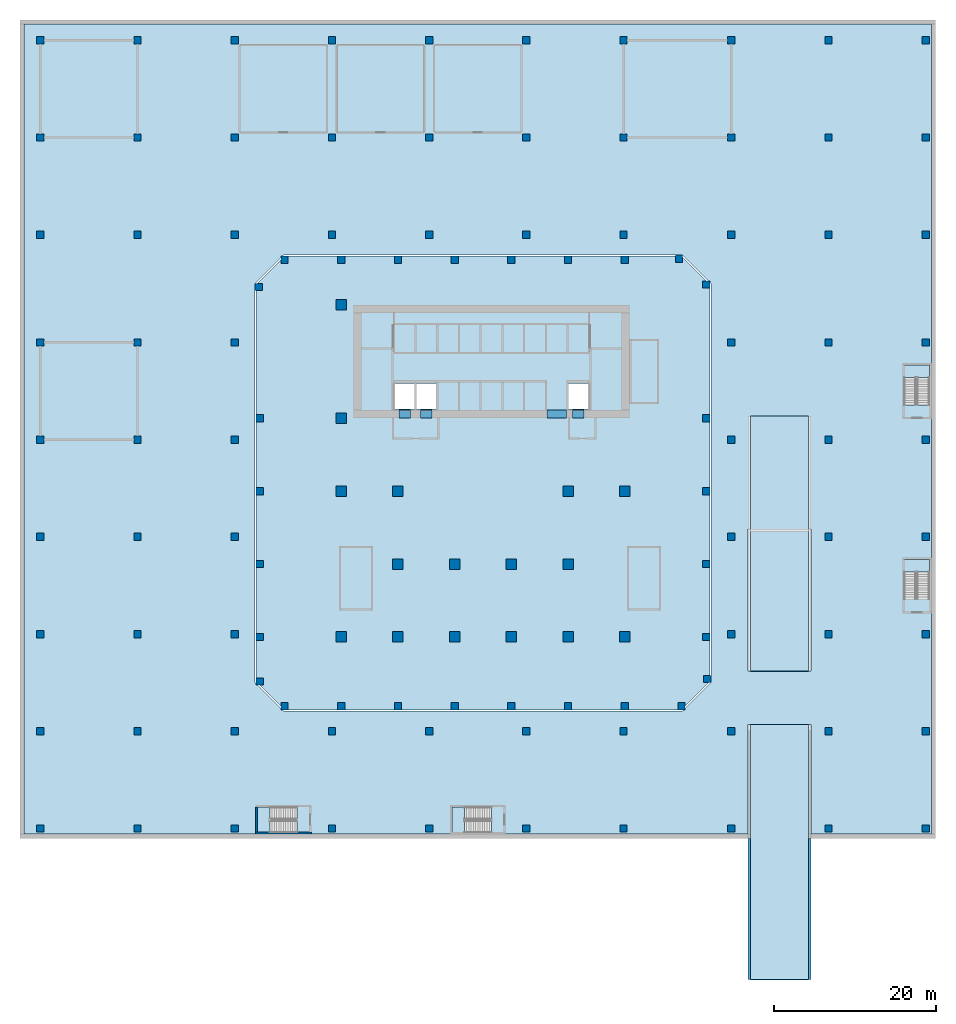
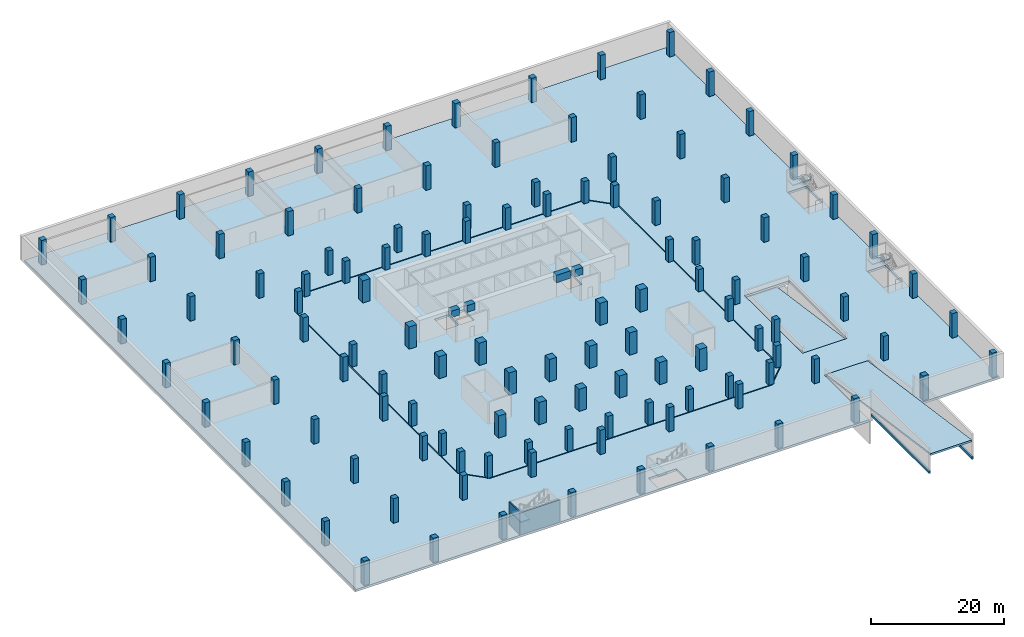
# One storey, part 1 of 11: 118 columns, 8 slabs, 4 beams, 2 footings, 2 walls, 4 elements without a shape of their own.
"""IFC4 building model written with IfcOpenShell, lengths in metres."""

from ifc_helpers import new_model, si_unit, direction, frame, frame_2d, origin, origin_2d, place, context, subcontext, project, spatial, polyline, rectangle, outline, extrude, source, transform, mapped, material, layer, layer_set, material_profile, profile_set, type_object, element, aggregate, save


model = new_model("IFC4")

# Units and contexts
model_context = context("Model", 3, precision=1e-05, world=origin(), true_north=direction((0.0, 1.0)))
body_context = subcontext(model_context, "Body", "Model", "MODEL_VIEW")
ifc_project = project(units=[si_unit("LENGTHUNIT", "METRE"), si_unit("AREAUNIT", "SQUARE_METRE"), si_unit("VOLUMEUNIT", "CUBIC_METRE"), si_unit("PLANEANGLEUNIT", "RADIAN"), si_unit("MASSUNIT", "GRAM", prefix="KILO")], contexts=[model_context])

# Site, building, storey
site_placement = place(None, origin())
site = spatial("IfcSite", under=ifc_project, at=site_placement, CompositionType="ELEMENT")
building_placement = place(site_placement, origin())
building = spatial("IfcBuilding", under=site, at=building_placement, Name="Kilnfold Tower and Market Hall", CompositionType="ELEMENT")
storey_placement = place(building_placement, frame((0.0, 0.0, -4.5)))
storey = spatial("IfcBuildingStorey", under=building, at=storey_placement, Name="B1", CompositionType="ELEMENT", Elevation=-4.5)

# Footings
ifc_material_1 = material(Name="Concrete C40/50", Category="concrete")
footing_type = type_object("IfcFootingType", Name="CAR PARK RAMP WALL FOOTING 300", PredefinedType="STRIP_FOOTING", material=ifc_material_1)
shared_shape_1 = source(origin(), body_context, "Body", "SweptSolid", [
    extrude(outline(polyline([(32.699951171875, -61.300048828125), (33.0, -61.300048828125), (33.0, -43.85009765625), (32.699951171875, -43.85009765625), (32.699951171875, -61.300048828125)])), origin(), (0.0, 0.0, 1.0), 0.5),
])
footing_1_placement = place(storey_placement, frame((0.0, 0.0, 0.906982421875)))
element("IfcFooting", 1, at=footing_1_placement, inside=storey, type_object=footing_type, Name="Ramp wall footing 1", PredefinedType="STRIP_FOOTING", context=body_context, shape_type="MappedRepresentation", body=[
    mapped(shared_shape_1, transform((0.0, 0.0, 0.0))),
])
shared_shape_2 = source(origin(), body_context, "Body", "SweptSolid", [
    extrude(outline(polyline([(40.199951171875, -61.300048828125), (40.5, -61.300048828125), (40.5, -43.85009765625), (40.199951171875, -43.85009765625), (40.199951171875, -61.300048828125)])), origin(), (0.0, 0.0, 1.0), 0.5),
])
footing_2_placement = place(storey_placement, frame((0.0, 0.0, 0.906982421875)))
element("IfcFooting", 2, at=footing_2_placement, inside=storey, type_object=footing_type, Name="Ramp wall footing 2", PredefinedType="STRIP_FOOTING", context=body_context, shape_type="MappedRepresentation", body=[
    mapped(shared_shape_2, transform((0.0, 0.0, 0.0))),
])

# Columns
ifc_material_2 = material(Name="Concrete C80", Category="concrete")
ifc_material_profile_1 = material_profile(ifc_material_2, rectangle(XDim=0.89990234375, YDim=0.89990234375, at=origin_2d()), Name="RC 900x900")
ifc_profile_set_1 = profile_set([ifc_material_profile_1], Name="Concrete C80")
column_type_1 = type_object("IfcColumnType", Name="COLUMN 900X900 C80", PredefinedType="COLUMN", material=ifc_profile_set_1)
shared_shape_3 = source(origin(), body_context, "Body", "SweptSolid", [
    extrude(rectangle(XDim=0.89990234375, YDim=0.89990234375, at=origin_2d()), origin(), (0.0, 0.0, 1.0), 4.090087890625),
])
for number, where, z_axis, x_axis, name in (
    (3, (-27.681884765625, 24.181884765625, 0.0), (0.0, 0.0, 1.0), (1.0, 0.0, 0.0), "Column C-B1-1H"),
    (4, (-27.550048828125, -24.5, 0.0), (0.0, 0.0, 1.0), (1.0, 0.0, 0.0), "Column C-B1-1B"),
    (5, (-27.550048828125, -19.0, 0.0), (0.0, 0.0, 1.0), (1.0, 0.0, 0.0), "Column C-B1-1C"),
    (6, (-27.550048828125, -10.0, 0.0), (0.0, 0.0, 1.0), (1.0, 0.0, 0.0), "Column C-B1-1D"),
    (7, (-27.550048828125, -1.0, 0.0), (0.0, 0.0, 1.0), (1.0, 0.0, 0.0), "Column C-B1-1E"),
    (8, (-27.550048828125, 8.0, 0.0), (0.0, 0.0, 1.0), (1.0, 0.0, 0.0), "Column C-B1-1F"),
    (9, (-24.5, -27.550048828125, 0.0), (0.0, 0.0, 1.0), (1.0, 0.0, 0.0), "Column C-B1-2A"),
    (10, (-24.5, 27.550048828125, 0.0), (0.0, 0.0, 1.0), (1.0, 0.0, 0.0), "Column C-B1-2I"),
    (11, (-17.5, -27.550048828125, 0.0), (0.0, 0.0, 1.0), (1.0, 0.0, 0.0), "Column C-B1-3A"),
    (12, (-17.5, 27.550048828125, 0.0), (0.0, 0.0, 1.0), (1.0, 0.0, 0.0), "Column C-B1-3I"),
    (13, (-10.5, -27.550048828125, 0.0), (0.0, 0.0, 1.0), (1.0, 0.0, 0.0), "Column C-B1-4A"),
    (14, (-10.5, 27.550048828125, 0.0), (0.0, 0.0, 1.0), (1.0, 0.0, 0.0), "Column C-B1-4I"),
    (15, (-3.5, -27.550048828125, 0.0), (0.0, 0.0, 1.0), (1.0, 0.0, 0.0), "Column C-B1-5A"),
    (16, (-3.5, 27.550048828125, 0.0), (0.0, 0.0, 1.0), (1.0, 0.0, 0.0), "Column C-B1-5I"),
    (17, (3.5, -27.550048828125, 0.0), (0.0, 0.0, 1.0), (1.0, 0.0, 0.0), "Column C-B1-6A"),
    (18, (3.5, 27.550048828125, 0.0), (0.0, 0.0, 1.0), (1.0, 0.0, 0.0), "Column C-B1-6I"),
    (19, (10.5, -27.550048828125, 0.0), (0.0, 0.0, 1.0), (1.0, 0.0, 0.0), "Column C-B1-7A"),
    (20, (10.5, 27.550048828125, 0.0), (0.0, 0.0, 1.0), (1.0, 0.0, 0.0), "Column C-B1-7I"),
    (21, (17.5, -27.550048828125, 0.0), (0.0, 0.0, 1.0), (1.0, 0.0, 0.0), "Column C-B1-8A"),
    (22, (17.5, 27.550048828125, 0.0), (0.0, 0.0, 1.0), (1.0, 0.0, 0.0), "Column C-B1-8I"),
    (23, (24.181884765625, 27.681884765625, 0.0), (0.0, 0.0, 1.0), (1.0, 0.0, 0.0), "Column C-B1-9I"),
    (24, (24.5, -27.550048828125, 0.0), (0.0, 0.0, 1.0), (1.0, 0.0, 0.0), "Column C-B1-9A"),
    (25, (27.550048828125, -19.0, 0.0), (0.0, 0.0, 1.0), (1.0, 0.0, 0.0), "Column C-B1-10C"),
    (26, (27.550048828125, -10.0, 0.0), (0.0, 0.0, 1.0), (1.0, 0.0, 0.0), "Column C-B1-10D"),
    (27, (27.550048828125, -1.0, 0.0), (0.0, 0.0, 1.0), (1.0, 0.0, 0.0), "Column C-B1-10E"),
    (28, (27.550048828125, 8.0, 0.0), (0.0, 0.0, 1.0), (1.0, 0.0, 0.0), "Column C-B1-10F"),
    (29, (27.550048828125, 24.5, 0.0), (0.0, 0.0, 1.0), (1.0, 0.0, 0.0), "Column C-B1-10H"),
    (30, (27.681884765625, -24.181884765625, 0.0), (0.0, 0.0, 1.0), (1.0, 0.0, 0.0), "Column C-B1-10B"),
):
    element("IfcColumn", number, at=place(storey_placement, frame(where, z_axis=z_axis, x_axis=x_axis)), inside=storey, type_object=column_type_1, Name=name, PredefinedType="COLUMN", context=body_context, shape_type="MappedRepresentation", body=[
        mapped(shared_shape_3, transform((0.0, 0.0, 0.0))),
    ])
ifc_material_3 = material(Name="Concrete C80", Category="concrete")
ifc_material_profile_2 = material_profile(ifc_material_3, rectangle(XDim=1.300048828125, YDim=1.300048828125, at=origin_2d()), Name="RC 1300x1300")
ifc_profile_set_2 = profile_set([ifc_material_profile_2], Name="Concrete C80")
column_type_2 = type_object("IfcColumnType", Name="COLUMN 1300X1300 C80", PredefinedType="COLUMN", material=ifc_profile_set_2)
shared_shape_4 = source(origin(), body_context, "Body", "SweptSolid", [
    extrude(rectangle(XDim=1.300048828125, YDim=1.300048828125, at=origin_2d()), origin(), (0.0, 0.0, 1.0), 4.090087890625),
])
for number, where, z_axis, x_axis, name in (
    (31, (-17.5, -19.0, 0.0), (0.0, 0.0, 1.0), (1.0, 0.0, 0.0), "Column C-B1-3C"),
    (32, (-17.5, -1.0, 0.0), (0.0, 0.0, 1.0), (1.0, 0.0, 0.0), "Column C-B1-3E"),
    (33, (-17.5, 8.0, 0.0), (0.0, 0.0, 1.0), (1.0, 0.0, 0.0), "Column C-B1-3F"),
    (34, (-17.5, 22.0, 0.0), (0.0, 0.0, 1.0), (1.0, 0.0, 0.0), "Column C-B1-3G"),
    (35, (-10.5, -19.0, 0.0), (0.0, 0.0, 1.0), (1.0, 0.0, 0.0), "Column C-B1-4C"),
    (36, (-10.5, -10.0, 0.0), (0.0, 0.0, 1.0), (1.0, 0.0, 0.0), "Column C-B1-4D"),
    (37, (-10.5, -1.0, 0.0), (0.0, 0.0, 1.0), (1.0, 0.0, 0.0), "Column C-B1-4E"),
    (38, (-3.5, -19.0, 0.0), (0.0, 0.0, 1.0), (1.0, 0.0, 0.0), "Column C-B1-5C"),
    (39, (-3.5, -10.0, 0.0), (0.0, 0.0, 1.0), (1.0, 0.0, 0.0), "Column C-B1-5D"),
    (40, (3.5, -19.0, 0.0), (0.0, 0.0, 1.0), (1.0, 0.0, 0.0), "Column C-B1-6C"),
    (41, (3.5, -10.0, 0.0), (0.0, 0.0, 1.0), (1.0, 0.0, 0.0), "Column C-B1-6D"),
    (42, (10.5, -19.0, 0.0), (0.0, 0.0, 1.0), (1.0, 0.0, 0.0), "Column C-B1-7C"),
    (43, (10.5, -10.0, 0.0), (0.0, 0.0, 1.0), (1.0, 0.0, 0.0), "Column C-B1-7D"),
    (44, (10.5, -1.0, 0.0), (0.0, 0.0, 1.0), (1.0, 0.0, 0.0), "Column C-B1-7E"),
    (45, (17.5, -19.0, 0.0), (0.0, 0.0, 1.0), (1.0, 0.0, 0.0), "Column C-B1-8C"),
    (46, (17.5, -1.0, 0.0), (0.0, 0.0, 1.0), (1.0, 0.0, 0.0), "Column C-B1-8E"),
):
    element("IfcColumn", number, at=place(storey_placement, frame(where, z_axis=z_axis, x_axis=x_axis)), inside=storey, type_object=column_type_2, Name=name, PredefinedType="COLUMN", context=body_context, shape_type="MappedRepresentation", body=[
        mapped(shared_shape_4, transform((0.0, 0.0, 0.0))),
    ])
ifc_material_4 = material(Name="Concrete C60/75", Category="concrete")
ifc_material_profile_3 = material_profile(ifc_material_4, rectangle(XDim=0.89990234375, YDim=0.89990234375, at=origin_2d()), Name="RC 900x900")
ifc_profile_set_3 = profile_set([ifc_material_profile_3], Name="Concrete C60/75")
column_type_3 = type_object("IfcColumnType", Name="BASEMENT COLUMN 900", PredefinedType="COLUMN", material=ifc_profile_set_3)
shared_shape_5 = source(origin(), body_context, "Body", "SweptSolid", [
    extrude(rectangle(XDim=0.89990234375, YDim=0.89990234375, at=origin_2d()), origin(), (0.0, 0.0, 1.0), 4.5),
])
for number, where, z_axis, x_axis, name in (
    (47, (-54.64990234375, -42.64990234375, 0.0), (0.0, 0.0, 1.0), (1.0, 0.0, 0.0), "Basement column MC-1A"),
    (48, (-54.64990234375, -30.64990234375, 0.0), (0.0, 0.0, 1.0), (1.0, 0.0, 0.0), "Basement column MC-1B"),
    (49, (-54.64990234375, -18.64990234375, 0.0), (0.0, 0.0, 1.0), (1.0, 0.0, 0.0), "Basement column MC-1C"),
    (50, (-54.64990234375, -6.64990234375, 0.0), (0.0, 0.0, 1.0), (1.0, 0.0, 0.0), "Basement column MC-1D"),
    (51, (-54.64990234375, 5.35009765625, 0.0), (0.0, 0.0, 1.0), (1.0, 0.0, 0.0), "Basement column MC-1E"),
    (52, (-54.64990234375, 17.35009765625, 0.0), (0.0, 0.0, 1.0), (1.0, 0.0, 0.0), "Basement column MC-1F"),
    (53, (-54.64990234375, 30.64990234375, 0.0), (0.0, 0.0, 1.0), (1.0, 0.0, 0.0), "Basement column MC-1G"),
    (54, (-54.64990234375, 42.64990234375, 0.0), (0.0, 0.0, 1.0), (1.0, 0.0, 0.0), "Basement column MC-1H"),
    (55, (-54.64990234375, 54.64990234375, 0.0), (0.0, 0.0, 1.0), (1.0, 0.0, 0.0), "Basement column MC-1I"),
    (56, (-42.64990234375, -42.64990234375, 0.0), (0.0, 0.0, 1.0), (1.0, 0.0, 0.0), "Basement column MC-2A"),
    (57, (-42.64990234375, -30.64990234375, 0.0), (0.0, 0.0, 1.0), (1.0, 0.0, 0.0), "Basement column MC-2B"),
    (58, (-42.64990234375, -18.64990234375, 0.0), (0.0, 0.0, 1.0), (1.0, 0.0, 0.0), "Basement column MC-2C"),
    (59, (-42.64990234375, -6.64990234375, 0.0), (0.0, 0.0, 1.0), (1.0, 0.0, 0.0), "Basement column MC-2D"),
    (60, (-42.64990234375, 5.35009765625, 0.0), (0.0, 0.0, 1.0), (1.0, 0.0, 0.0), "Basement column MC-2E"),
    (61, (-42.64990234375, 17.35009765625, 0.0), (0.0, 0.0, 1.0), (1.0, 0.0, 0.0), "Basement column MC-2F"),
    (62, (-42.64990234375, 30.64990234375, 0.0), (0.0, 0.0, 1.0), (1.0, 0.0, 0.0), "Basement column MC-2G"),
    (63, (-42.64990234375, 42.64990234375, 0.0), (0.0, 0.0, 1.0), (1.0, 0.0, 0.0), "Basement column MC-2H"),
    (64, (-42.64990234375, 54.64990234375, 0.0), (0.0, 0.0, 1.0), (1.0, 0.0, 0.0), "Basement column MC-2I"),
    (65, (-30.64990234375, -42.64990234375, 0.0), (0.0, 0.0, 1.0), (1.0, 0.0, 0.0), "Basement column MC-3A"),
    (66, (-30.64990234375, -30.64990234375, 0.0), (0.0, 0.0, 1.0), (1.0, 0.0, 0.0), "Basement column MC-3B"),
    (67, (-30.64990234375, -18.64990234375, 0.0), (0.0, 0.0, 1.0), (1.0, 0.0, 0.0), "Basement column MC-3C"),
    (68, (-30.64990234375, -6.64990234375, 0.0), (0.0, 0.0, 1.0), (1.0, 0.0, 0.0), "Basement column MC-3D"),
    (69, (-30.64990234375, 5.35009765625, 0.0), (0.0, 0.0, 1.0), (1.0, 0.0, 0.0), "Basement column MC-3E"),
    (70, (-30.64990234375, 17.35009765625, 0.0), (0.0, 0.0, 1.0), (1.0, 0.0, 0.0), "Basement column MC-3F"),
    (71, (-30.64990234375, 30.64990234375, 0.0), (0.0, 0.0, 1.0), (1.0, 0.0, 0.0), "Basement column MC-3G"),
    (72, (-30.64990234375, 42.64990234375, 0.0), (0.0, 0.0, 1.0), (1.0, 0.0, 0.0), "Basement column MC-3H"),
    (73, (-30.64990234375, 54.64990234375, 0.0), (0.0, 0.0, 1.0), (1.0, 0.0, 0.0), "Basement column MC-3I"),
    (74, (-18.64990234375, -42.64990234375, 0.0), (0.0, 0.0, 1.0), (1.0, 0.0, 0.0), "Basement column MC-4A"),
    (75, (-18.64990234375, -30.64990234375, 0.0), (0.0, 0.0, 1.0), (1.0, 0.0, 0.0), "Basement column MC-4B"),
    (76, (-18.64990234375, 30.64990234375, 0.0), (0.0, 0.0, 1.0), (1.0, 0.0, 0.0), "Basement column MC-4G"),
    (77, (-18.64990234375, 42.64990234375, 0.0), (0.0, 0.0, 1.0), (1.0, 0.0, 0.0), "Basement column MC-4H"),
    (78, (-18.64990234375, 54.64990234375, 0.0), (0.0, 0.0, 1.0), (1.0, 0.0, 0.0), "Basement column MC-4I"),
    (79, (-6.64990234375, -42.64990234375, 0.0), (0.0, 0.0, 1.0), (1.0, 0.0, 0.0), "Basement column MC-5A"),
    (80, (-6.64990234375, -30.64990234375, 0.0), (0.0, 0.0, 1.0), (1.0, 0.0, 0.0), "Basement column MC-5B"),
    (81, (-6.64990234375, 30.64990234375, 0.0), (0.0, 0.0, 1.0), (1.0, 0.0, 0.0), "Basement column MC-5G"),
    (82, (-6.64990234375, 42.64990234375, 0.0), (0.0, 0.0, 1.0), (1.0, 0.0, 0.0), "Basement column MC-5H"),
    (83, (-6.64990234375, 54.64990234375, 0.0), (0.0, 0.0, 1.0), (1.0, 0.0, 0.0), "Basement column MC-5I"),
    (84, (5.35009765625, -42.64990234375, 0.0), (0.0, 0.0, 1.0), (1.0, 0.0, 0.0), "Basement column MC-6A"),
    (85, (5.35009765625, -30.64990234375, 0.0), (0.0, 0.0, 1.0), (1.0, 0.0, 0.0), "Basement column MC-6B"),
    (86, (5.35009765625, 30.64990234375, 0.0), (0.0, 0.0, 1.0), (1.0, 0.0, 0.0), "Basement column MC-6G"),
    (87, (5.35009765625, 42.64990234375, 0.0), (0.0, 0.0, 1.0), (1.0, 0.0, 0.0), "Basement column MC-6H"),
    (88, (5.35009765625, 54.64990234375, 0.0), (0.0, 0.0, 1.0), (1.0, 0.0, 0.0), "Basement column MC-6I"),
    (89, (17.35009765625, -42.64990234375, 0.0), (0.0, 0.0, 1.0), (1.0, 0.0, 0.0), "Basement column MC-7A"),
    (90, (17.35009765625, -30.64990234375, 0.0), (0.0, 0.0, 1.0), (1.0, 0.0, 0.0), "Basement column MC-7B"),
    (91, (17.35009765625, 30.64990234375, 0.0), (0.0, 0.0, 1.0), (1.0, 0.0, 0.0), "Basement column MC-7G"),
    (92, (17.35009765625, 42.64990234375, 0.0), (0.0, 0.0, 1.0), (1.0, 0.0, 0.0), "Basement column MC-7H"),
    (93, (17.35009765625, 54.64990234375, 0.0), (0.0, 0.0, 1.0), (1.0, 0.0, 0.0), "Basement column MC-7I"),
    (94, (30.64990234375, -42.64990234375, 0.0), (0.0, 0.0, 1.0), (1.0, 0.0, 0.0), "Basement column MC-8A"),
    (95, (30.64990234375, -30.64990234375, 0.0), (0.0, 0.0, 1.0), (1.0, 0.0, 0.0), "Basement column MC-8B"),
    (96, (30.64990234375, -18.64990234375, 0.0), (0.0, 0.0, 1.0), (1.0, 0.0, 0.0), "Basement column MC-8C"),
    (97, (30.64990234375, -6.64990234375, 0.0), (0.0, 0.0, 1.0), (1.0, 0.0, 0.0), "Basement column MC-8D"),
    (98, (30.64990234375, 5.35009765625, 0.0), (0.0, 0.0, 1.0), (1.0, 0.0, 0.0), "Basement column MC-8E"),
    (99, (30.64990234375, 17.35009765625, 0.0), (0.0, 0.0, 1.0), (1.0, 0.0, 0.0), "Basement column MC-8F"),
    (100, (30.64990234375, 30.64990234375, 0.0), (0.0, 0.0, 1.0), (1.0, 0.0, 0.0), "Basement column MC-8G"),
    (101, (30.64990234375, 42.64990234375, 0.0), (0.0, 0.0, 1.0), (1.0, 0.0, 0.0), "Basement column MC-8H"),
    (102, (30.64990234375, 54.64990234375, 0.0), (0.0, 0.0, 1.0), (1.0, 0.0, 0.0), "Basement column MC-8I"),
    (103, (42.64990234375, -42.64990234375, 0.0), (0.0, 0.0, 1.0), (1.0, 0.0, 0.0), "Basement column MC-9A"),
    (104, (42.64990234375, -30.64990234375, 0.0), (0.0, 0.0, 1.0), (1.0, 0.0, 0.0), "Basement column MC-9B"),
    (105, (42.64990234375, -18.64990234375, 0.0), (0.0, 0.0, 1.0), (1.0, 0.0, 0.0), "Basement column MC-9C"),
    (106, (42.64990234375, -6.64990234375, 0.0), (0.0, 0.0, 1.0), (1.0, 0.0, 0.0), "Basement column MC-9D"),
    (107, (42.64990234375, 5.35009765625, 0.0), (0.0, 0.0, 1.0), (1.0, 0.0, 0.0), "Basement column MC-9E"),
    (108, (42.64990234375, 17.35009765625, 0.0), (0.0, 0.0, 1.0), (1.0, 0.0, 0.0), "Basement column MC-9F"),
    (109, (42.64990234375, 30.64990234375, 0.0), (0.0, 0.0, 1.0), (1.0, 0.0, 0.0), "Basement column MC-9G"),
    (110, (42.64990234375, 42.64990234375, 0.0), (0.0, 0.0, 1.0), (1.0, 0.0, 0.0), "Basement column MC-9H"),
    (111, (42.64990234375, 54.64990234375, 0.0), (0.0, 0.0, 1.0), (1.0, 0.0, 0.0), "Basement column MC-9I"),
    (112, (54.64990234375, -42.64990234375, 0.0), (0.0, 0.0, 1.0), (1.0, 0.0, 0.0), "Basement column MC-10A"),
    (113, (54.64990234375, -30.64990234375, 0.0), (0.0, 0.0, 1.0), (1.0, 0.0, 0.0), "Basement column MC-10B"),
    (114, (54.64990234375, -18.64990234375, 0.0), (0.0, 0.0, 1.0), (1.0, 0.0, 0.0), "Basement column MC-10C"),
    (115, (54.64990234375, -6.64990234375, 0.0), (0.0, 0.0, 1.0), (1.0, 0.0, 0.0), "Basement column MC-10D"),
    (116, (54.64990234375, 5.35009765625, 0.0), (0.0, 0.0, 1.0), (1.0, 0.0, 0.0), "Basement column MC-10E"),
    (117, (54.64990234375, 17.35009765625, 0.0), (0.0, 0.0, 1.0), (1.0, 0.0, 0.0), "Basement column MC-10F"),
    (118, (54.64990234375, 30.64990234375, 0.0), (0.0, 0.0, 1.0), (1.0, 0.0, 0.0), "Basement column MC-10G"),
    (119, (54.64990234375, 42.64990234375, 0.0), (0.0, 0.0, 1.0), (1.0, 0.0, 0.0), "Basement column MC-10H"),
    (120, (54.64990234375, 54.64990234375, 0.0), (0.0, 0.0, 1.0), (1.0, 0.0, 0.0), "Basement column MC-10I"),
):
    element("IfcColumn", number, at=place(storey_placement, frame(where, z_axis=z_axis, x_axis=x_axis)), inside=storey, type_object=column_type_3, Name=name, PredefinedType="COLUMN", context=body_context, shape_type="MappedRepresentation", body=[
        mapped(shared_shape_5, transform((0.0, 0.0, 0.0))),
    ])

# Beams
ifc_material_5 = material(Name="Concrete C80", Category="concrete")
ifc_material_profile_4 = material_profile(ifc_material_5, rectangle(XDim=1.0, YDim=1.199951171875, at=origin_2d()), Name="RC 1000x1200")
ifc_profile_set_4 = profile_set([ifc_material_profile_4], Name="Concrete C80")
beam_type_1 = type_object("IfcBeamType", Name="COUPLING BEAM 1000X1200 C80", PredefinedType="BEAM", material=ifc_profile_set_4)
shared_shape_6 = source(origin(), body_context, "Body", "SweptSolid", [
    extrude(rectangle(XDim=1.0, YDim=1.199951171875, at=origin_2d()), origin(), (0.0, 0.0, 1.0), 1.400146484375),
])
beam_1_placement = place(storey_placement, frame((-10.3701171875, 8.5, 3.300048828125), z_axis=(1.0, 0.0, 0.0), x_axis=(0.0, 1.0, 0.0)))
element("IfcBeam", 121, at=beam_1_placement, inside=storey, type_object=beam_type_1, Name="Coupling beam CB1200-80-CORE.28", PredefinedType="BEAM", context=body_context, shape_type="MappedRepresentation", body=[
    mapped(shared_shape_6, transform((0.0, 0.0, 0.0))),
])
ifc_material_6 = material(Name="Concrete C80", Category="concrete")
ifc_material_profile_5 = material_profile(ifc_material_6, rectangle(XDim=1.0, YDim=1.25, at=origin_2d()), Name="RC 1000x1250")
ifc_profile_set_5 = profile_set([ifc_material_profile_5], Name="Concrete C80")
beam_type_2 = type_object("IfcBeamType", Name="COUPLING BEAM 1000X1250 C80", PredefinedType="BEAM", material=ifc_profile_set_5)
shared_shape_7 = source(origin(), body_context, "Body", "SweptSolid", [
    extrude(rectangle(XDim=1.0, YDim=1.25, at=origin_2d()), origin(), (0.0, 0.0, 1.0), 1.39990234375),
])
for number, where, z_axis, x_axis, name in (
    (122, (-7.68994140625, 8.5, 3.324951171875), (1.0, 0.0, 0.0), (0.0, 1.0, 0.0), "Coupling beam CB1250-80-CORE.29"),
    (123, (11.070068359375, 8.5, 3.324951171875), (1.0, 0.0, 0.0), (0.0, 1.0, 0.0), "Coupling beam CB1250-80-CORE.31"),
):
    element("IfcBeam", number, at=place(storey_placement, frame(where, z_axis=z_axis, x_axis=x_axis)), inside=storey, type_object=beam_type_2, Name=name, PredefinedType="BEAM", context=body_context, shape_type="MappedRepresentation", body=[
        mapped(shared_shape_7, transform((0.0, 0.0, 0.0))),
    ])
ifc_material_7 = material(Name="Concrete C80", Category="concrete")
ifc_material_profile_6 = material_profile(ifc_material_7, rectangle(XDim=1.0, YDim=1.389892578125, at=origin_2d()), Name="RC 1000x1390")
ifc_profile_set_6 = profile_set([ifc_material_profile_6], Name="Concrete C80")
beam_type_3 = type_object("IfcBeamType", Name="COUPLING BEAM 1000X1390 C80", PredefinedType="BEAM", material=ifc_profile_set_6)
shared_shape_8 = source(origin(), body_context, "Body", "SweptSolid", [
    extrude(rectangle(XDim=1.0, YDim=1.389892578125, at=origin_2d()), origin(), (0.0, 0.0, 1.0), 2.400146484375),
])
beam_2_placement = place(storey_placement, frame((7.889892578125, 8.5, 3.39501953125), z_axis=(1.0, 0.0, 0.0), x_axis=(0.0, 1.0, 0.0)))
element("IfcBeam", 124, at=beam_2_placement, inside=storey, type_object=beam_type_3, Name="Coupling beam CB1390-80-CORE.30", PredefinedType="BEAM", context=body_context, shape_type="MappedRepresentation", body=[
    mapped(shared_shape_8, transform((0.0, 0.0, 0.0))),
])

# Slabs
ifc_material_8 = material(Name="Concrete C40/50", Category="concrete")
ifc_layer_1 = layer(ifc_material_8, 0.300048828125)
ifc_layer_set_1 = layer_set([ifc_layer_1], Name="Concrete C40/50")
slab_type_1 = type_object("IfcSlabType", Name="VEHICLE RAMP SLAB 300", PredefinedType="FLOOR", material=ifc_layer_set_1)
for number, where, z_axis, x_axis, name in (
    (125, (33.0, -61.300048828125, 4.5), (0.0, 0.141421356237, 0.989949493661), (0.0, 0.989949493661, -0.141421356237), "Vehicle ramp RP1 flight 1"),
    (126, (33.0, -23.199951171875, 0.0), (0.0, 0.141421356237, 0.989949493661), (0.0, 0.989949493661, -0.141421356237), "Vehicle ramp RP1 flight 2"),
):
    element("IfcSlab", number, at=place(storey_placement, frame(where, z_axis=z_axis, x_axis=x_axis)), inside=storey, type_object=slab_type_1, Name=name, PredefinedType="FLOOR", context=body_context, shape_type="SweptSolid", body=[
        extrude(outline(polyline([(0.0, 0.0), (31.81980515339464, 0.0), (31.81980515339464, -7.199951171875), (0.0, -7.199951171875), (0.0, 0.0)])), origin(), (0.0, 0.0, -1.0), 0.300048828125),
    ])
ifc_material_9 = material(Name="Concrete C40/50", Category="concrete")
ifc_layer_2 = layer(ifc_material_9, 0.39990234375)
ifc_layer_set_2 = layer_set([ifc_layer_2], Name="Concrete C40/50")
slab_type_2 = type_object("IfcSlabType", Name="BASEMENT FLOOR SLAB 400", PredefinedType="FLOOR", material=ifc_layer_set_2)
shared_shape_9 = source(origin(), body_context, "Body", "SweptSolid", [
    extrude(outline(polyline([(-56.64990234375, -43.35009765625), (32.699951171875, -43.35009765625), (32.699951171875, -29.800048828125), (40.5, -29.800048828125), (40.5, -43.35009765625), (55.35009765625, -43.35009765625), (55.35009765625, 56.64990234375), (-56.64990234375, 56.64990234375), (-56.64990234375, -43.35009765625)]), holes=[polyline([(-27.85009765625, -43.14990234375), (-22.955078125, -43.14990234375), (-22.955078125, -40.0), (-27.85009765625, -40.0), (-27.85009765625, -43.14990234375)]), polyline([(-24.56201171875, -28.14990234375), (24.56201171875, -28.14990234375), (28.14990234375, -24.56201171875), (28.14990234375, 24.56201171875), (24.56201171875, 28.14990234375), (-24.56201171875, 28.14990234375), (-28.14990234375, 24.56201171875), (-28.14990234375, -24.56201171875), (-24.56201171875, -28.14990234375)]), polyline([(-3.85009765625, -43.14990234375), (1.044921875, -43.14990234375), (1.044921875, -40.0), (-3.85009765625, -40.0), (-3.85009765625, -43.14990234375)]), polyline([(32.699951171875, -23.199951171875), (40.5, -23.199951171875), (40.5, -5.699951171875), (32.699951171875, -5.699951171875), (32.699951171875, -23.199951171875)]), polyline([(51.949951171875, -14.344970703125), (55.10009765625, -14.344970703125), (55.10009765625, -9.449951171875), (51.949951171875, -9.449951171875), (51.949951171875, -14.344970703125)]), polyline([(51.949951171875, 9.655029296875), (55.10009765625, 9.655029296875), (55.10009765625, 14.550048828125), (51.949951171875, 14.550048828125), (51.949951171875, 9.655029296875)])]), origin(), (0.0, 0.0, 1.0), 0.39990234375),
])
slab_1_placement = place(storey_placement, frame((0.0, 0.0, -0.39990234375)))
element("IfcSlab", 127, at=slab_1_placement, inside=storey, type_object=slab_type_2, Name="Floor slab B1", PredefinedType="FLOOR", context=body_context, shape_type="MappedRepresentation", body=[
    mapped(shared_shape_9, transform((0.0, 0.0, 0.0))),
])
shared_shape_10 = source(origin(), body_context, "Body", "SweptSolid", [
    extrude(outline(polyline([(-24.5, -28.0), (24.5, -28.0), (28.0, -24.5), (28.0, 24.5), (24.5, 28.0), (-24.5, 28.0), (-28.0, 24.5), (-28.0, -24.5), (-24.5, -28.0)]), holes=[polyline([(-10.885009765625, 9.125), (-8.455078125, 9.125), (-8.455078125, 12.27490234375), (-10.885009765625, 12.27490234375), (-10.885009765625, 9.125)]), polyline([(-8.205078125, 9.125), (-5.77490234375, 9.125), (-5.77490234375, 12.27490234375), (-8.205078125, 12.27490234375), (-8.205078125, 9.125)]), polyline([(10.554931640625, 9.125), (12.985107421875, 9.125), (12.985107421875, 12.27490234375), (10.554931640625, 12.27490234375), (10.554931640625, 9.125)])]), origin(), (0.0, 0.0, 1.0), 0.39990234375),
])
slab_2_placement = place(storey_placement, frame((0.0, 0.0, -0.39990234375)))
element("IfcSlab", 128, at=slab_2_placement, inside=storey, type_object=slab_type_2, Name="Floor slab B1 tower", PredefinedType="FLOOR", context=body_context, shape_type="MappedRepresentation", body=[
    mapped(shared_shape_10, transform((0.0, 0.0, 0.0))),
])

# Stair, slab
ifc_material_10 = material(Name="Concrete C40/50", Category="concrete")
stair_type = type_object("IfcStairType", Name="CAR PARK STAIR 1500", PredefinedType="HALF_TURN_STAIR", material=ifc_material_10)
stair_1_placement = place(storey_placement, origin())
stair_1 = element("IfcStair", 129, at=stair_1_placement, inside=storey, type_object=stair_type, Name="B1 CS1", PredefinedType="HALF_TURN_STAIR")
ifc_material_11 = material(Name="Concrete C40/50", Category="concrete")
ifc_layer_3 = layer(ifc_material_11, 0.199951171875)
ifc_layer_set_3 = layer_set([ifc_layer_3], Name="Concrete C40/50")
slab_type_3 = type_object("IfcSlabType", Name="CAR PARK STAIR LANDING 200", PredefinedType="LANDING", material=ifc_layer_set_3)
shared_shape_11 = source(origin(), body_context, "Body", "SweptSolid", [
    extrude(outline(polyline([(-26.31005859375, -40.0), (-27.85009765625, -40.0), (-27.85009765625, -43.14990234375), (-26.31005859375, -43.14990234375), (-26.31005859375, -40.0)])), origin(), (0.0, 0.0, 1.0), 0.199951171875),
])
slab_3_placement = place(storey_placement, frame((0.0, 0.0, 2.050048828125)))
slab_3 = element("IfcSlab", 130, at=slab_3_placement, type_object=slab_type_3, Name="CS1 landing 1", PredefinedType="LANDING", context=body_context, shape_type="MappedRepresentation", body=[
    mapped(shared_shape_11, transform((0.0, 0.0, 0.0))),
])
aggregate(stair_1, [slab_3])

stair_2_placement = place(storey_placement, origin())
stair_2 = element("IfcStair", 131, at=stair_2_placement, inside=storey, type_object=stair_type, Name="B1 CS2", PredefinedType="HALF_TURN_STAIR")
shared_shape_12 = source(origin(), body_context, "Body", "SweptSolid", [
    extrude(outline(polyline([(-2.31005859375, -40.0), (-3.85009765625, -40.0), (-3.85009765625, -43.14990234375), (-2.31005859375, -43.14990234375), (-2.31005859375, -40.0)])), origin(), (0.0, 0.0, 1.0), 0.199951171875),
])
slab_4_placement = place(storey_placement, frame((0.0, 0.0, 2.050048828125)))
slab_4 = element("IfcSlab", 132, at=slab_4_placement, type_object=slab_type_3, Name="CS2 landing 1", PredefinedType="LANDING", context=body_context, shape_type="MappedRepresentation", body=[
    mapped(shared_shape_12, transform((0.0, 0.0, 0.0))),
])
aggregate(stair_2, [slab_4])

stair_3_placement = place(storey_placement, origin())
stair_3 = element("IfcStair", 133, at=stair_3_placement, inside=storey, type_object=stair_type, Name="B1 CS3", PredefinedType="HALF_TURN_STAIR")
shared_shape_13 = source(origin(), body_context, "Body", "SweptSolid", [
    extrude(outline(polyline([(55.10009765625, -10.989990234375), (55.10009765625, -9.449951171875), (51.949951171875, -9.449951171875), (51.949951171875, -10.989990234375), (55.10009765625, -10.989990234375)])), origin(), (0.0, 0.0, 1.0), 0.199951171875),
])
slab_5_placement = place(storey_placement, frame((0.0, 0.0, 2.050048828125)))
slab_5 = element("IfcSlab", 134, at=slab_5_placement, type_object=slab_type_3, Name="CS3 landing 1", PredefinedType="LANDING", context=body_context, shape_type="MappedRepresentation", body=[
    mapped(shared_shape_13, transform((0.0, 0.0, 0.0))),
])
aggregate(stair_3, [slab_5])

stair_4_placement = place(storey_placement, origin())
stair_4 = element("IfcStair", 135, at=stair_4_placement, inside=storey, type_object=stair_type, Name="B1 CS4", PredefinedType="HALF_TURN_STAIR")
shared_shape_14 = source(origin(), body_context, "Body", "SweptSolid", [
    extrude(outline(polyline([(55.10009765625, 13.010009765625), (55.10009765625, 14.550048828125), (51.949951171875, 14.550048828125), (51.949951171875, 13.010009765625), (55.10009765625, 13.010009765625)])), origin(), (0.0, 0.0, 1.0), 0.199951171875),
])
slab_6_placement = place(storey_placement, frame((0.0, 0.0, 2.050048828125)))
slab_6 = element("IfcSlab", 136, at=slab_6_placement, type_object=slab_type_3, Name="CS4 landing 1", PredefinedType="LANDING", context=body_context, shape_type="MappedRepresentation", body=[
    mapped(shared_shape_14, transform((0.0, 0.0, 0.0))),
])
aggregate(stair_4, [slab_6])

# Walls
ifc_material_12 = material(Name="Concrete C50/60", Category="concrete")
ifc_layer_4 = layer(ifc_material_12, 0.25)
ifc_layer_set_4 = layer_set([ifc_layer_4], Name="Concrete C50/60")
wall_type = type_object("IfcWallType", Name="CAR PARK STAIR WALL 250", PredefinedType="SHEAR", material=ifc_layer_set_4)
shared_shape_15 = source(origin(), body_context, "Body", "SweptSolid", [
    extrude(rectangle(XDim=6.900146484375, YDim=0.25, at=frame_2d((3.4501953125, 0.0))), origin(), (0.0, 0.0, 1.0), 4.090087890625),
])
wall_1_placement = place(storey_placement, frame((-28.10009765625, -43.22509765625, 0.0), z_axis=(0.0, 0.0, 1.0), x_axis=(1.0, 0.0, 0.0)))
element("IfcWall", 137, at=wall_1_placement, inside=storey, type_object=wall_type, Name="Stair CS1 wall south", PredefinedType="SHEAR", context=body_context, shape_type="MappedRepresentation", body=[
    mapped(shared_shape_15, transform((0.0, 0.0, 0.0))),
])
shared_shape_16 = source(origin(), body_context, "Body", "SweptSolid", [
    extrude(rectangle(XDim=3.10009765625, YDim=0.25, at=frame_2d((1.550048828125, 0.0))), origin(), (0.0, 0.0, 1.0), 4.090087890625),
])
wall_2_placement = place(storey_placement, frame((-27.97509765625, -43.10009765625, 0.0), z_axis=(0.0, 0.0, 1.0), x_axis=(0.0, 1.0, 0.0)))
element("IfcWall", 138, at=wall_2_placement, inside=storey, type_object=wall_type, Name="Stair CS1 wall west", PredefinedType="SHEAR", context=body_context, shape_type="MappedRepresentation", body=[
    mapped(shared_shape_16, transform((0.0, 0.0, 0.0))),
])

save(model, "model.ifc")
